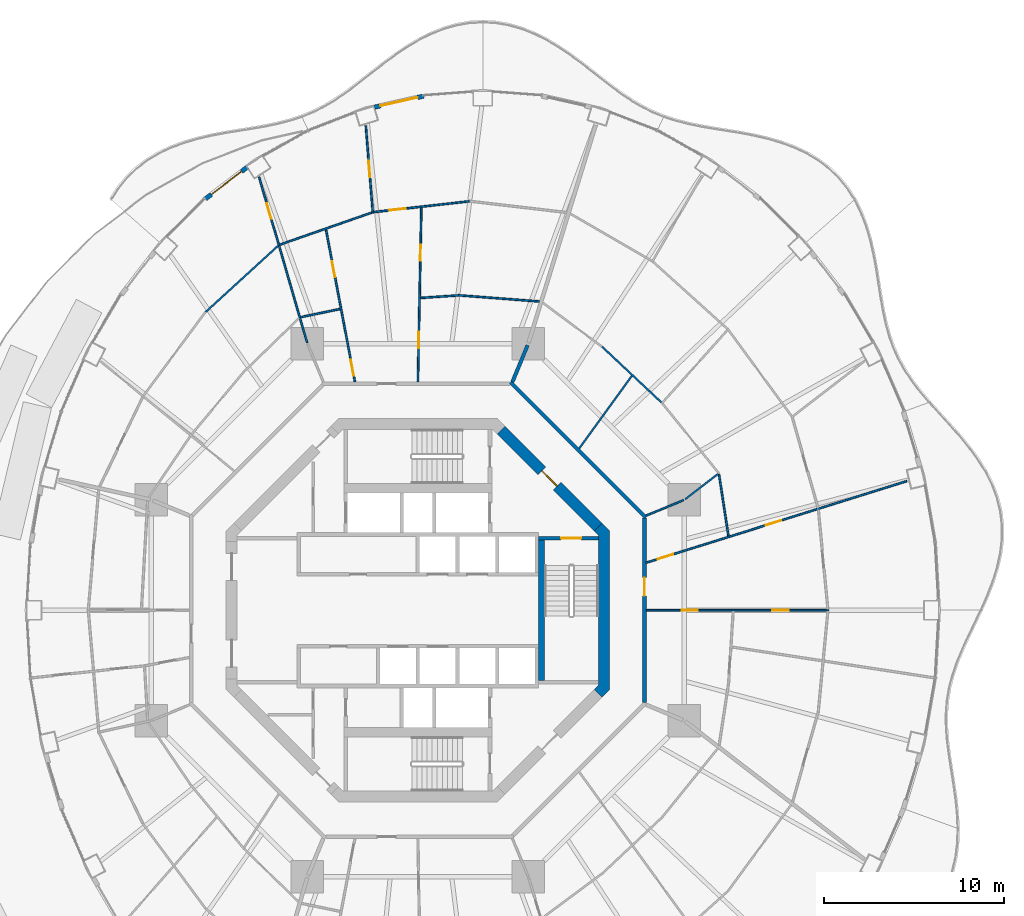
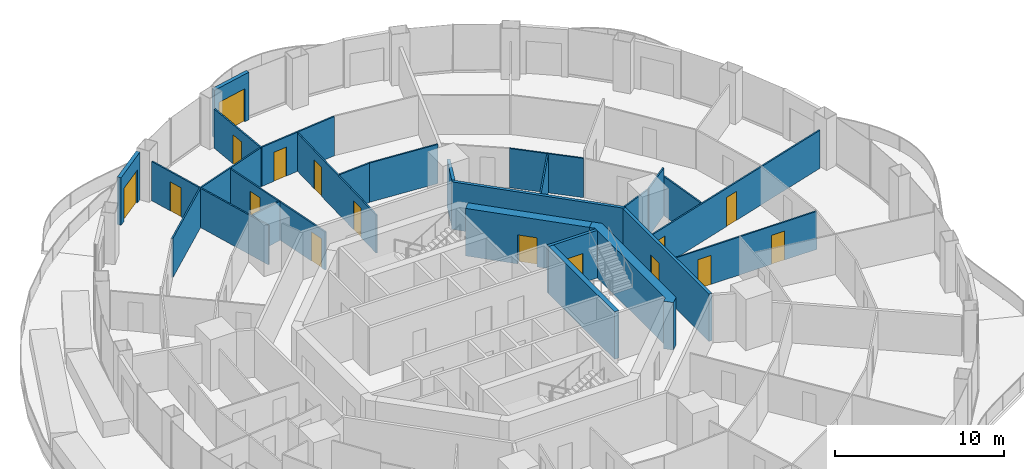
# One storey, part 16 of 20: 26 walls, 16 doors, 16 openings.
"""IFC4 building model written with IfcOpenShell, lengths in metres."""

from ifc_helpers import new_model, si_unit, direction, frame, frame_2d, origin, place, context, subcontext, project, spatial, polyline, rectangle, outline, extrude, material, layer, layer_set, type_object, element, fill, save


model = new_model("IFC4")

# Units and contexts
model_context = context("Model", 3, precision=1e-05, world=origin(), true_north=direction((0.0, 1.0)))
body_context = subcontext(model_context, "Body", "Model", "MODEL_VIEW")
ifc_project = project(units=[si_unit("LENGTHUNIT", "METRE"), si_unit("AREAUNIT", "SQUARE_METRE"), si_unit("VOLUMEUNIT", "CUBIC_METRE"), si_unit("PLANEANGLEUNIT", "RADIAN"), si_unit("MASSUNIT", "GRAM", prefix="KILO")], contexts=[model_context])

# Site, building, storey
site_placement = place(None, origin())
site = spatial("IfcSite", under=ifc_project, at=site_placement, CompositionType="ELEMENT")
building_placement = place(site_placement, origin())
building = spatial("IfcBuilding", under=site, at=building_placement, Name="Nagisa Residences", CompositionType="ELEMENT")
storey_placement = place(building_placement, frame((0.0, 0.0, 165.89990234375)))
storey = spatial("IfcBuildingStorey", under=building, at=storey_placement, Name="L41", CompositionType="ELEMENT", Elevation=165.89990234375)

# Wall
ifc_material_1 = material(Name="Gypsum board on steel studs", Category="steel")
ifc_layer_1 = layer(ifc_material_1, 0.199951171875)
ifc_layer_set_1 = layer_set([ifc_layer_1], Name="Apartment compartment wall EI60 200")
wall_type_1 = type_object("IfcWallType", Name="Apartment compartment wall EI60 200", PredefinedType="PARTITIONING", material=ifc_layer_set_1)
wall_1_placement = place(storey_placement, frame((5.24267578125, 12.6572265625, 0.0), z_axis=(0.0, 0.0, 1.0), x_axis=(0.382747093259, 0.923853160736, 0.0)))
element("IfcWall", 1, at=wall_1_placement, inside=storey, type_object=wall_type_1, Name="wall:L41:u00", PredefinedType="PARTITIONING", context=body_context, shape_type="SweptSolid", body=[
    extrude(rectangle(XDim=2.199951171875, YDim=0.199951171875, at=frame_2d((1.10009765625, 0.0))), origin(), (0.0, 0.0, 1.0), 3.440185546875),
])

# Wall, opening, door
ifc_material_2 = material(Name="Gypsum board on steel studs", Category="steel")
ifc_layer_2 = layer(ifc_material_2, 0.199951171875)
ifc_layer_set_2 = layer_set([ifc_layer_2], Name="Apartment entry wall EI60 200")
wall_type_2 = type_object("IfcWallType", Name="Apartment entry wall EI60 200", PredefinedType="PARTITIONING", material=ifc_layer_set_2)
wall_2_placement = place(storey_placement, frame((12.564697265625, -5.1044921875, 0.0), z_axis=(0.0, 0.0, 1.0), x_axis=(0.0, 1.0, 0.0)))
wall_2 = element("IfcWall", 2, at=wall_2_placement, inside=storey, type_object=wall_type_2, Name="wall:L41:u08", PredefinedType="PARTITIONING", context=body_context, shape_type="SweptSolid", body=[
    extrude(rectangle(XDim=10.208984375, YDim=0.199951171875, at=frame_2d((5.1044921875, 0.0))), origin(), (0.0, 0.0, 1.0), 3.440185546875),
])
opening_1_placement = place(wall_2_placement, frame((5.905517578125, 0.0, 0.0)))
opening_1 = element("IfcOpeningElement", 3, at=opening_1_placement, cuts=wall_2, Name="Opening L41-U01", PredefinedType="OPENING", context=body_context, shape_type="SweptSolid", body=[
    extrude(rectangle(XDim=1.0, YDim=2.10009765625, at=frame_2d((0.5, 1.050048828125))), frame((0.0, 0.10986328125, 0.0), z_axis=(0.0, -1.0, 0.0), x_axis=(1.0, 0.0, 0.0)), (0.0, 0.0, 1.0), 0.219970703125),
])
ifc_material_3 = material(Name="Timber fire door set", Category="wood")
door_type_1 = type_object("IfcDoorType", Name="Apartment entry door FD30S 1000x2100", OperationType="NOTDEFINED", PredefinedType="DOOR", material=ifc_material_3)
door_1_placement = place(opening_1_placement, frame((1.0, 0.0, 0.0), x_axis=(-1.0, 0.0, 0.0)))
door_1 = element("IfcDoor", 4, at=door_1_placement, inside=storey, type_object=door_type_1, Name="Entry door, Apartment 41A", OperationType="SINGLE_SWING_RIGHT", OverallHeight=2.10009765625, OverallWidth=1.0, PredefinedType="DOOR", context=body_context, shape_type="SweptSolid", body=[
    extrude(rectangle(XDim=1.0, YDim=2.10009765625, at=frame_2d((0.5, 1.050048828125))), frame((0.0, 0.02490234375, 0.0), z_axis=(0.0, -1.0, 0.0), x_axis=(1.0, 0.0, 0.0)), (0.0, 0.0, 1.0), 0.050048828125),
])
fill(opening_1, door_1)

# Wall
wall_3_placement = place(storey_placement, frame((12.635498046875, 5.1337890625, 0.0), z_axis=(0.0, 0.0, 1.0), x_axis=(-0.707106781187, 0.707106781187, 0.0)))
element("IfcWall", 5, at=wall_3_placement, inside=storey, type_object=wall_type_2, Name="wall:L41:u09", PredefinedType="PARTITIONING", context=body_context, shape_type="SweptSolid", body=[
    extrude(rectangle(XDim=10.609130859375, YDim=0.199951171875, at=frame_2d((5.3046875, 0.0))), origin(), (0.0, 0.0, 1.0), 3.440185546875),
])

# Wall, openings, doors
ifc_material_4 = material(Name="Gypsum board on steel studs", Category="steel")
ifc_layer_3 = layer(ifc_material_4, 0.10009765625)
ifc_layer_set_3 = layer_set([ifc_layer_3], Name="Apartment partition 100")
wall_type_3 = type_object("IfcWallType", Name="Apartment partition 100", PredefinedType="PARTITIONING", material=ifc_layer_set_3)
wall_4_placement = place(storey_placement, frame((12.664794921875, 0.0, 0.0), z_axis=(0.0, 0.0, 1.0), x_axis=(1.0, 0.0, 0.0)))
wall_4 = element("IfcWall", 6, at=wall_4_placement, inside=storey, type_object=wall_type_3, Name="wall:L41:u16", PredefinedType="PARTITIONING", context=body_context, shape_type="SweptSolid", body=[
    extrude(rectangle(XDim=10.124267578125, YDim=0.10009765625, at=frame_2d((5.06201171875, 0.0))), origin(), (0.0, 0.0, 1.0), 2.756103515625),
])
opening_2_placement = place(wall_4_placement, frame((1.96142578125, 0.0, 0.0)))
opening_2 = element("IfcOpeningElement", 7, at=opening_2_placement, cuts=wall_4, Name="Opening L41-U02", PredefinedType="OPENING", context=body_context, shape_type="SweptSolid", body=[
    extrude(rectangle(XDim=0.89990234375, YDim=2.10009765625, at=frame_2d((0.449951171875, 1.050048828125))), frame((0.0, 0.06005859375, 0.0), z_axis=(0.0, -1.0, 0.0), x_axis=(1.0, 0.0, 0.0)), (0.0, 0.0, 1.0), 0.1201171875),
])
opening_3_placement = place(wall_4_placement, frame((6.998779296875, 0.0, 0.0)))
opening_3 = element("IfcOpeningElement", 8, at=opening_3_placement, cuts=wall_4, Name="Opening L41-U05", PredefinedType="OPENING", context=body_context, shape_type="SweptSolid", body=[
    extrude(rectangle(XDim=0.89990234375, YDim=2.10009765625, at=frame_2d((0.449951171875, 1.050048828125))), frame((0.0, 0.06005859375, 0.0), z_axis=(0.0, -1.0, 0.0), x_axis=(1.0, 0.0, 0.0)), (0.0, 0.0, 1.0), 0.1201171875),
])
ifc_material_5 = material(Name="Timber door set", Category="wood")
door_type_2 = type_object("IfcDoorType", Name="Apartment door 900x2100", OperationType="NOTDEFINED", PredefinedType="DOOR", material=ifc_material_5)
door_2_placement = place(opening_2_placement, frame((0.89990234375, 0.0, 0.0), x_axis=(-1.0, 0.0, 0.0)))
door_2 = element("IfcDoor", 9, at=door_2_placement, inside=storey, type_object=door_type_2, Name="Door to store, Apartment 41A", OperationType="SINGLE_SWING_LEFT", OverallHeight=2.10009765625, OverallWidth=0.89990234375, PredefinedType="DOOR", context=body_context, shape_type="SweptSolid", body=[
    extrude(rectangle(XDim=0.89990234375, YDim=2.10009765625, at=frame_2d((0.449951171875, 1.050048828125))), frame((0.0, 0.02490234375, 0.0), z_axis=(0.0, -1.0, 0.0), x_axis=(1.0, 0.0, 0.0)), (0.0, 0.0, 1.0), 0.050048828125),
])
fill(opening_2, door_2)
door_3_placement = place(opening_3_placement, frame((0.89990234375, 0.0, 0.0), x_axis=(-1.0, 0.0, 0.0)))
door_3 = element("IfcDoor", 10, at=door_3_placement, inside=storey, type_object=door_type_2, Name="Door to family bathroom, Apartment 41A", OperationType="SINGLE_SWING_RIGHT", OverallHeight=2.10009765625, OverallWidth=0.89990234375, PredefinedType="DOOR", context=body_context, shape_type="SweptSolid", body=[
    extrude(rectangle(XDim=0.89990234375, YDim=2.10009765625, at=frame_2d((0.449951171875, 1.050048828125))), frame((0.0, 0.02490234375, 0.0), z_axis=(0.0, -1.0, 0.0), x_axis=(1.0, 0.0, 0.0)), (0.0, 0.0, 1.0), 0.050048828125),
])
fill(opening_3, door_3)

wall_5_placement = place(storey_placement, frame((12.66015625, 2.632080078125, 0.0), z_axis=(0.0, 0.0, 1.0), x_axis=(0.954248738607, 0.299013954302, 0.0)))
wall_5 = element("IfcWall", 11, at=wall_5_placement, inside=storey, type_object=wall_type_3, Name="wall:L41:u20", PredefinedType="PARTITIONING", context=body_context, shape_type="SweptSolid", body=[
    extrude(rectangle(XDim=15.141845703125, YDim=0.10009765625, at=frame_2d((7.57080078125, 0.0))), origin(), (0.0, 0.0, 1.0), 2.756103515625),
])
opening_4_placement = place(wall_5_placement, frame((0.668701171875, 0.0, 0.0)))
opening_4 = element("IfcOpeningElement", 12, at=opening_4_placement, cuts=wall_5, Name="Opening L41-U03", PredefinedType="OPENING", context=body_context, shape_type="SweptSolid", body=[
    extrude(rectangle(XDim=0.89990234375, YDim=2.10009765625, at=frame_2d((0.449951171875, 1.050048828125))), frame((0.0, 0.06005859375, 0.0), z_axis=(0.0, -1.0, 0.0), x_axis=(1.0, 0.0, 0.0)), (0.0, 0.0, 1.0), 0.1201171875),
])
opening_5_placement = place(wall_5_placement, frame((6.94384765625, 0.0, 0.0)))
opening_5 = element("IfcOpeningElement", 13, at=opening_5_placement, cuts=wall_5, Name="Opening L41-U06", PredefinedType="OPENING", context=body_context, shape_type="SweptSolid", body=[
    extrude(rectangle(XDim=0.89990234375, YDim=2.10009765625, at=frame_2d((0.449951171875, 1.050048828125))), frame((0.0, 0.06005859375, 0.0), z_axis=(0.0, -1.0, 0.0), x_axis=(1.0, 0.0, 0.0)), (0.0, 0.0, 1.0), 0.1201171875),
])
door_4_placement = place(opening_4_placement, origin())
door_4 = element("IfcDoor", 14, at=door_4_placement, inside=storey, type_object=door_type_2, Name="Door to family bathroom, Apartment 41A", OperationType="SINGLE_SWING_LEFT", OverallHeight=2.10009765625, OverallWidth=0.89990234375, PredefinedType="DOOR", context=body_context, shape_type="SweptSolid", body=[
    extrude(rectangle(XDim=0.89990234375, YDim=2.10009765625, at=frame_2d((0.449951171875, 1.050048828125))), frame((0.0, 0.02490234375, 0.0), z_axis=(0.0, -1.0, 0.0), x_axis=(1.0, 0.0, 0.0)), (0.0, 0.0, 1.0), 0.050048828125),
])
fill(opening_4, door_4)
door_5_placement = place(opening_5_placement, origin())
door_5 = element("IfcDoor", 15, at=door_5_placement, inside=storey, type_object=door_type_2, Name="Door to dining room, Apartment 41A", OperationType="SINGLE_SWING_RIGHT", OverallHeight=2.10009765625, OverallWidth=0.89990234375, PredefinedType="DOOR", context=body_context, shape_type="SweptSolid", body=[
    extrude(rectangle(XDim=0.89990234375, YDim=2.10009765625, at=frame_2d((0.449951171875, 1.050048828125))), frame((0.0, 0.02490234375, 0.0), z_axis=(0.0, -1.0, 0.0), x_axis=(1.0, 0.0, 0.0)), (0.0, 0.0, 1.0), 0.050048828125),
])
fill(opening_5, door_5)

# Walls
wall_6_placement = place(storey_placement, frame((17.220947265625, 4.113037109375, 0.0), z_axis=(0.0, 0.0, 1.0), x_axis=(-0.151078880423, 0.988521710379, 0.0)))
element("IfcWall", 16, at=wall_6_placement, inside=storey, type_object=wall_type_3, Name="wall:L41:u21", PredefinedType="PARTITIONING", context=body_context, shape_type="SweptSolid", body=[
    extrude(rectangle(XDim=3.469482421875, YDim=0.10009765625, at=frame_2d((1.73486328125, 0.0))), origin(), (0.0, 0.0, 1.0), 2.837158203125),
])
wall_7_placement = place(storey_placement, frame((12.6572265625, 5.24267578125, 0.0), z_axis=(0.0, 0.0, 1.0), x_axis=(0.923826362943, 0.382811769845, 0.0)))
element("IfcWall", 17, at=wall_7_placement, inside=storey, type_object=wall_type_3, Name="wall:L41:u23", PredefinedType="PARTITIONING", context=body_context, shape_type="SweptSolid", body=[
    extrude(rectangle(XDim=2.25, YDim=0.10009765625, at=frame_2d((1.125, 0.0))), origin(), (0.0, 0.0, 1.0), 3.440185546875),
])
wall_8_placement = place(storey_placement, frame((14.82177734375, 6.153564453125, 0.0), z_axis=(0.0, 0.0, 1.0), x_axis=(0.792226528082, 0.610227111987, 0.0)))
element("IfcWall", 18, at=wall_8_placement, inside=storey, type_object=wall_type_3, Name="wall:L41:u24", PredefinedType="PARTITIONING", context=body_context, shape_type="SweptSolid", body=[
    extrude(rectangle(XDim=2.307373046875, YDim=0.10009765625, at=frame_2d((1.15380859375, 0.0))), origin(), (0.0, 0.0, 1.0), 3.440185546875),
])
wall_9_placement = place(storey_placement, frame((13.50439453125, 11.52001953125, 0.0), z_axis=(0.0, 0.0, 1.0), x_axis=(-0.728883199496, 0.684638066055, 0.0)))
element("IfcWall", 19, at=wall_9_placement, inside=storey, type_object=wall_type_3, Name="wall:L41:u29", PredefinedType="PARTITIONING", context=body_context, shape_type="SweptSolid", body=[
    extrude(rectangle(XDim=4.519287109375, YDim=0.10009765625, at=frame_2d((2.259765625, 0.0))), origin(), (0.0, 0.0, 1.0), 2.837158203125),
])
wall_10_placement = place(storey_placement, frame((8.943359375, 8.965576171875, 0.0), z_axis=(0.0, 0.0, 1.0), x_axis=(0.587187896734, 0.809450661825, 0.0)))
element("IfcWall", 20, at=wall_10_placement, inside=storey, type_object=wall_type_3, Name="wall:L41:u31", PredefinedType="PARTITIONING", context=body_context, shape_type="SweptSolid", body=[
    extrude(rectangle(XDim=4.974853515625, YDim=0.10009765625, at=frame_2d((2.4873046875, 0.0))), origin(), (0.0, 0.0, 1.0), 2.756103515625),
])
wall_11_placement = place(storey_placement, frame((6.7412109375, 17.1171875, 0.0), z_axis=(0.0, 0.0, 1.0), x_axis=(-0.997078320723, 0.076386008825, 0.0)))
element("IfcWall", 21, at=wall_11_placement, inside=storey, type_object=wall_type_3, Name="wall:L41:u35", PredefinedType="PARTITIONING", context=body_context, shape_type="SweptSolid", body=[
    extrude(rectangle(XDim=4.509765625, YDim=0.10009765625, at=frame_2d((2.2548828125, 0.0))), origin(), (0.0, 0.0, 1.0), 2.837158203125),
])
wall_12_placement = place(storey_placement, frame((2.244384765625, 17.45458984375, 0.0), z_axis=(0.0, 0.0, 1.0), x_axis=(-0.997756833447, -0.06694252243, 0.0)))
element("IfcWall", 22, at=wall_12_placement, inside=storey, type_object=wall_type_3, Name="wall:L41:u37", PredefinedType="PARTITIONING", context=body_context, shape_type="SweptSolid", body=[
    extrude(rectangle(XDim=2.104248046875, YDim=0.10009765625, at=frame_2d((1.05224609375, 0.0))), origin(), (0.0, 0.0, 1.0), 2.837158203125),
])

# Wall, opening, door
wall_13_placement = place(storey_placement, frame((2.841552734375, 22.67138671875, 0.0), z_axis=(0.0, 0.0, 1.0), x_axis=(-0.993660315081, -0.112424099879, 0.0)))
wall_13 = element("IfcWall", 23, at=wall_13_placement, inside=storey, type_object=wall_type_3, Name="wall:L41:u38", PredefinedType="PARTITIONING", context=body_context, shape_type="SweptSolid", body=[
    extrude(rectangle(XDim=5.32470703125, YDim=0.10009765625, at=frame_2d((2.662353515625, 0.0))), origin(), (0.0, 0.0, 1.0), 2.837158203125),
])
opening_6_placement = place(wall_13_placement, frame((3.543701171875, 0.0, 0.0)))
opening_6 = element("IfcOpeningElement", 24, at=opening_6_placement, cuts=wall_13, Name="Opening L41-U20", PredefinedType="OPENING", context=body_context, shape_type="SweptSolid", body=[
    extrude(rectangle(XDim=0.89990234375, YDim=2.10009765625, at=frame_2d((0.449951171875, 1.050048828125))), frame((0.0, 0.06005859375, 0.0), z_axis=(0.0, -1.0, 0.0), x_axis=(1.0, 0.0, 0.0)), (0.0, 0.0, 1.0), 0.1201171875),
])
door_6_placement = place(opening_6_placement, frame((0.89990234375, 0.0, 0.0), x_axis=(-1.0, 0.0, 0.0)))
door_6 = element("IfcDoor", 25, at=door_6_placement, inside=storey, type_object=door_type_2, Name="Door to living room, Apartment 41B", OperationType="SINGLE_SWING_LEFT", OverallHeight=2.10009765625, OverallWidth=0.89990234375, PredefinedType="DOOR", context=body_context, shape_type="SweptSolid", body=[
    extrude(rectangle(XDim=0.89990234375, YDim=2.10009765625, at=frame_2d((0.449951171875, 1.050048828125))), frame((0.0, 0.02490234375, 0.0), z_axis=(0.0, -1.0, 0.0), x_axis=(1.0, 0.0, 0.0)), (0.0, 0.0, 1.0), 0.050048828125),
])
fill(opening_6, door_6)

# Wall, openings, doors
wall_14_placement = place(storey_placement, frame((0.001953125, 12.664794921875, 0.0), z_axis=(0.0, 0.0, 1.0), x_axis=(0.019992969345, 0.999800120613, 0.0)))
wall_14 = element("IfcWall", 26, at=wall_14_placement, inside=storey, type_object=wall_type_3, Name="wall:L41:u39", PredefinedType="PARTITIONING", context=body_context, shape_type="SweptSolid", body=[
    extrude(rectangle(XDim=9.6591796875, YDim=0.10009765625, at=frame_2d((4.82958984375, 0.0))), origin(), (0.0, 0.0, 1.0), 2.756103515625),
])
opening_7_placement = place(wall_14_placement, frame((1.873291015625, 0.0, 0.0)))
opening_7 = element("IfcOpeningElement", 27, at=opening_7_placement, cuts=wall_14, Name="Opening L41-U16", PredefinedType="OPENING", context=body_context, shape_type="SweptSolid", body=[
    extrude(rectangle(XDim=0.89990234375, YDim=2.10009765625, at=frame_2d((0.449951171875, 1.050048828125))), frame((0.0, 0.06005859375, 0.0), z_axis=(0.0, -1.0, 0.0), x_axis=(1.0, 0.0, 0.0)), (0.0, 0.0, 1.0), 0.1201171875),
])
opening_8_placement = place(wall_14_placement, frame((6.702880859375, 0.0, 0.0)))
opening_8 = element("IfcOpeningElement", 28, at=opening_8_placement, cuts=wall_14, Name="Opening L41-U18", PredefinedType="OPENING", context=body_context, shape_type="SweptSolid", body=[
    extrude(rectangle(XDim=0.89990234375, YDim=2.10009765625, at=frame_2d((0.449951171875, 1.050048828125))), frame((0.0, 0.06005859375, 0.0), z_axis=(0.0, -1.0, 0.0), x_axis=(1.0, 0.0, 0.0)), (0.0, 0.0, 1.0), 0.1201171875),
])
door_7_placement = place(opening_7_placement, frame((0.89990234375, 0.0, 0.0), x_axis=(-1.0, 0.0, 0.0)))
door_7 = element("IfcDoor", 29, at=door_7_placement, inside=storey, type_object=door_type_2, Name="Door to store, Apartment 41B", OperationType="SINGLE_SWING_LEFT", OverallHeight=2.10009765625, OverallWidth=0.89990234375, PredefinedType="DOOR", context=body_context, shape_type="SweptSolid", body=[
    extrude(rectangle(XDim=0.89990234375, YDim=2.10009765625, at=frame_2d((0.449951171875, 1.050048828125))), frame((0.0, 0.02490234375, 0.0), z_axis=(0.0, -1.0, 0.0), x_axis=(1.0, 0.0, 0.0)), (0.0, 0.0, 1.0), 0.050048828125),
])
fill(opening_7, door_7)
door_8_placement = place(opening_8_placement, frame((0.89990234375, 0.0, 0.0), x_axis=(-1.0, 0.0, 0.0)))
door_8 = element("IfcDoor", 30, at=door_8_placement, inside=storey, type_object=door_type_2, Name="Door to study, Apartment 41B", OperationType="SINGLE_SWING_LEFT", OverallHeight=2.10009765625, OverallWidth=0.89990234375, PredefinedType="DOOR", context=body_context, shape_type="SweptSolid", body=[
    extrude(rectangle(XDim=0.89990234375, YDim=2.10009765625, at=frame_2d((0.449951171875, 1.050048828125))), frame((0.0, 0.02490234375, 0.0), z_axis=(0.0, -1.0, 0.0), x_axis=(1.0, 0.0, 0.0)), (0.0, 0.0, 1.0), 0.050048828125),
])
fill(opening_8, door_8)

# Wall, opening, door
wall_15_placement = place(storey_placement, frame((-2.4951171875, 22.017333984375, 0.0), z_axis=(0.0, 0.0, 1.0), x_axis=(-0.080150660566, 0.99678276049, 0.0)))
wall_15 = element("IfcWall", 31, at=wall_15_placement, inside=storey, type_object=wall_type_3, Name="wall:L41:u40", PredefinedType="PARTITIONING", context=body_context, shape_type="SweptSolid", body=[
    extrude(rectangle(XDim=4.8583984375, YDim=0.10009765625, at=frame_2d((2.42919921875, 0.0))), origin(), (0.0, 0.0, 1.0), 2.837158203125),
])
opening_9_placement = place(wall_15_placement, frame((2.004150390625, 0.0, 0.0)))
opening_9 = element("IfcOpeningElement", 32, at=opening_9_placement, cuts=wall_15, Name="Opening L41-U21", PredefinedType="OPENING", context=body_context, shape_type="SweptSolid", body=[
    extrude(rectangle(XDim=0.89990234375, YDim=2.10009765625, at=frame_2d((0.449951171875, 1.050048828125))), frame((0.0, 0.06005859375, 0.0), z_axis=(0.0, -1.0, 0.0), x_axis=(1.0, 0.0, 0.0)), (0.0, 0.0, 1.0), 0.1201171875),
])
door_9_placement = place(opening_9_placement, origin())
door_9 = element("IfcDoor", 33, at=door_9_placement, inside=storey, type_object=door_type_2, Name="Door to bedroom, Apartment 41B", OperationType="SINGLE_SWING_LEFT", OverallHeight=2.10009765625, OverallWidth=0.89990234375, PredefinedType="DOOR", context=body_context, shape_type="SweptSolid", body=[
    extrude(rectangle(XDim=0.89990234375, YDim=2.10009765625, at=frame_2d((0.449951171875, 1.050048828125))), frame((0.0, 0.02490234375, 0.0), z_axis=(0.0, -1.0, 0.0), x_axis=(1.0, 0.0, 0.0)), (0.0, 0.0, 1.0), 0.050048828125),
])
fill(opening_9, door_9)

# Wall
wall_16_placement = place(storey_placement, frame((-2.54638671875, 22.050537109375, 0.0), z_axis=(0.0, 0.0, 1.0), x_axis=(-0.943911038661, -0.330199865375, 0.0)))
element("IfcWall", 34, at=wall_16_placement, inside=storey, type_object=wall_type_3, Name="wall:L41:u41", PredefinedType="PARTITIONING", context=body_context, shape_type="SweptSolid", body=[
    extrude(rectangle(XDim=5.41748046875, YDim=0.10009765625, at=frame_2d((2.708740234375, 0.0))), origin(), (0.0, 0.0, 1.0), 2.837158203125),
])

# Wall, openings, doors
wall_17_placement = place(storey_placement, frame((-3.48828125, 12.6630859375, 0.0), z_axis=(0.0, 0.0, 1.0), x_axis=(-0.186783185485, 0.982401161247, 0.0)))
wall_17 = element("IfcWall", 35, at=wall_17_placement, inside=storey, type_object=wall_type_3, Name="wall:L41:u42", PredefinedType="PARTITIONING", context=body_context, shape_type="SweptSolid", body=[
    extrude(rectangle(XDim=8.595458984375, YDim=0.10009765625, at=frame_2d((4.2978515625, 0.0))), origin(), (0.0, 0.0, 1.0), 2.756103515625),
])
opening_10_placement = place(wall_17_placement, frame((0.35009765625, 0.0, 0.0)))
opening_10 = element("IfcOpeningElement", 36, at=opening_10_placement, cuts=wall_17, Name="Opening L41-U17", PredefinedType="OPENING", context=body_context, shape_type="SweptSolid", body=[
    extrude(rectangle(XDim=0.89990234375, YDim=2.10009765625, at=frame_2d((0.449951171875, 1.050048828125))), frame((0.0, 0.06005859375, 0.0), z_axis=(0.0, -1.0, 0.0), x_axis=(1.0, 0.0, 0.0)), (0.0, 0.0, 1.0), 0.1201171875),
])
opening_11_placement = place(wall_17_placement, frame((5.908447265625, 0.0, 0.0)))
opening_11 = element("IfcOpeningElement", 37, at=opening_11_placement, cuts=wall_17, Name="Opening L41-U19", PredefinedType="OPENING", context=body_context, shape_type="SweptSolid", body=[
    extrude(rectangle(XDim=0.89990234375, YDim=2.10009765625, at=frame_2d((0.449951171875, 1.050048828125))), frame((0.0, 0.06005859375, 0.0), z_axis=(0.0, -1.0, 0.0), x_axis=(1.0, 0.0, 0.0)), (0.0, 0.0, 1.0), 0.1201171875),
])
door_10_placement = place(opening_10_placement, origin())
door_10 = element("IfcDoor", 38, at=door_10_placement, inside=storey, type_object=door_type_2, Name="Door to family bathroom, Apartment 41B", OperationType="SINGLE_SWING_LEFT", OverallHeight=2.10009765625, OverallWidth=0.89990234375, PredefinedType="DOOR", context=body_context, shape_type="SweptSolid", body=[
    extrude(rectangle(XDim=0.89990234375, YDim=2.10009765625, at=frame_2d((0.449951171875, 1.050048828125))), frame((0.0, 0.02490234375, 0.0), z_axis=(0.0, -1.0, 0.0), x_axis=(1.0, 0.0, 0.0)), (0.0, 0.0, 1.0), 0.050048828125),
])
fill(opening_10, door_10)
door_11_placement = place(opening_11_placement, origin())
door_11 = element("IfcDoor", 39, at=door_11_placement, inside=storey, type_object=door_type_2, Name="Door to family bathroom, Apartment 41B", OperationType="SINGLE_SWING_LEFT", OverallHeight=2.10009765625, OverallWidth=0.89990234375, PredefinedType="DOOR", context=body_context, shape_type="SweptSolid", body=[
    extrude(rectangle(XDim=0.89990234375, YDim=2.10009765625, at=frame_2d((0.449951171875, 1.050048828125))), frame((0.0, 0.02490234375, 0.0), z_axis=(0.0, -1.0, 0.0), x_axis=(1.0, 0.0, 0.0)), (0.0, 0.0, 1.0), 0.050048828125),
])
fill(opening_11, door_11)

# Wall
wall_18_placement = place(storey_placement, frame((-4.324462890625, 16.69921875, 0.0), z_axis=(0.0, 0.0, 1.0), x_axis=(-0.978908011866, -0.204301503432, 0.0)))
element("IfcWall", 40, at=wall_18_placement, inside=storey, type_object=wall_type_3, Name="wall:L41:u43", PredefinedType="PARTITIONING", context=body_context, shape_type="SweptSolid", body=[
    extrude(rectangle(XDim=2.218017578125, YDim=0.10009765625, at=frame_2d((1.10888671875, 0.0))), origin(), (0.0, 0.0, 1.0), 2.837158203125),
])

# Wall, opening, door
wall_19_placement = place(storey_placement, frame((-6.136962890625, 14.830078125, 0.0), z_axis=(0.0, 0.0, 1.0), x_axis=(-0.278461169897, 0.96044748782, 0.0)))
wall_19 = element("IfcWall", 41, at=wall_19_placement, inside=storey, type_object=wall_type_3, Name="wall:L41:u45", PredefinedType="PARTITIONING", context=body_context, shape_type="SweptSolid", body=[
    extrude(rectangle(XDim=9.5732421875, YDim=0.10009765625, at=frame_2d((4.78662109375, 0.0))), origin(), (0.0, 0.0, 1.0), 2.837158203125),
])
opening_12_placement = place(wall_19_placement, frame((7.15576171875, 0.0, 0.0)))
opening_12 = element("IfcOpeningElement", 42, at=opening_12_placement, cuts=wall_19, Name="Opening L41-U22", PredefinedType="OPENING", context=body_context, shape_type="SweptSolid", body=[
    extrude(rectangle(XDim=0.89990234375, YDim=2.10009765625, at=frame_2d((0.449951171875, 1.050048828125))), frame((0.0, 0.06005859375, 0.0), z_axis=(0.0, -1.0, 0.0), x_axis=(1.0, 0.0, 0.0)), (0.0, 0.0, 1.0), 0.1201171875),
])
door_12_placement = place(opening_12_placement, origin())
door_12 = element("IfcDoor", 43, at=door_12_placement, inside=storey, type_object=door_type_2, Name="Door to family room, Apartment 41B", OperationType="SINGLE_SWING_RIGHT", OverallHeight=2.10009765625, OverallWidth=0.89990234375, PredefinedType="DOOR", context=body_context, shape_type="SweptSolid", body=[
    extrude(rectangle(XDim=0.89990234375, YDim=2.10009765625, at=frame_2d((0.449951171875, 1.050048828125))), frame((0.0, 0.02490234375, 0.0), z_axis=(0.0, -1.0, 0.0), x_axis=(1.0, 0.0, 0.0)), (0.0, 0.0, 1.0), 0.050048828125),
])
fill(opening_12, door_12)

# Wall
wall_20_placement = place(storey_placement, frame((-7.743896484375, 20.211669921875, 0.0), z_axis=(0.0, 0.0, 1.0), x_axis=(-0.738051761282, -0.674744097913, 0.0)))
element("IfcWall", 44, at=wall_20_placement, inside=storey, type_object=wall_type_3, Name="wall:L41:u47", PredefinedType="PARTITIONING", context=body_context, shape_type="SweptSolid", body=[
    extrude(rectangle(XDim=5.44921875, YDim=0.10009765625, at=frame_2d((2.724609375, 0.0))), origin(), (0.0, 0.0, 1.0), 2.837158203125),
])

# Wall, opening, door
ifc_material_6 = material(Name="Precast concrete C40/50", Category="concrete")
ifc_layer_4 = layer(ifc_material_6, 0.25)
ifc_layer_set_4 = layer_set([ifc_layer_4], Name="BALCONY DOOR WALL 250")
wall_type_4 = type_object("IfcWallType", Name="BALCONY DOOR WALL 250", PredefinedType="SOLIDWALL", material=ifc_layer_set_4)
wall_21_placement = place(storey_placement, frame((-2.403564453125, 27.890625, 0.0), z_axis=(0.0, 0.0, 1.0), x_axis=(0.975324329911, 0.220776926974, 0.0)))
wall_21 = element("IfcWall", 45, at=wall_21_placement, inside=storey, type_object=wall_type_4, Name="wall:L41:bay13", PredefinedType="SOLIDWALL", context=body_context, shape_type="SweptSolid", body=[
    extrude(rectangle(XDim=2.787841796875, YDim=0.25, at=frame_2d((1.39404296875, 0.0))), origin(), (0.0, 0.0, 1.0), 3.440185546875),
])
opening_13_placement = place(wall_21_placement, frame((0.343994140625, 0.0, 0.0)))
opening_13 = element("IfcOpeningElement", 46, at=opening_13_placement, cuts=wall_21, Name="Opening BD-L41-05", PredefinedType="OPENING", context=body_context, shape_type="SweptSolid", body=[
    extrude(rectangle(XDim=2.10009765625, YDim=2.39990234375, at=frame_2d((1.050048828125, 1.199951171875))), frame((0.0, 0.135009765625, 0.0), z_axis=(0.0, -1.0, 0.0), x_axis=(1.0, 0.0, 0.0)), (0.0, 0.0, 1.0), 0.27001953125),
])
ifc_material_7 = material(Name="Aluminium and clear glass", Category="aluminium")
door_type_3 = type_object("IfcDoorType", Name="BALCONY SLIDING DOOR 2100x2400", OperationType="SLIDING_TO_LEFT", PredefinedType="DOOR", material=ifc_material_7)
door_13_placement = place(opening_13_placement, origin())
door_13 = element("IfcDoor", 47, at=door_13_placement, inside=storey, type_object=door_type_3, Name="door:L41:bay13", OperationType="SLIDING_TO_LEFT", OverallHeight=2.39990234375, OverallWidth=2.10009765625, PredefinedType="DOOR", context=body_context, shape_type="SweptSolid", body=[
    extrude(rectangle(XDim=2.10009765625, YDim=2.39990234375, at=frame_2d((1.050048828125, 1.199951171875))), frame((0.0, 0.02490234375, 0.0), z_axis=(0.0, -1.0, 0.0), x_axis=(1.0, 0.0, 0.0)), (0.0, 0.0, 1.0), 0.050048828125),
])
fill(opening_13, door_13)

wall_22_placement = place(storey_placement, frame((-11.771728515625, 22.80859375, 0.0), z_axis=(0.0, 0.0, 1.0), x_axis=(0.796055733703, 0.60522332146, 0.0)))
wall_22 = element("IfcWall", 48, at=wall_22_placement, inside=storey, type_object=wall_type_4, Name="wall:L41:bay16", PredefinedType="SOLIDWALL", context=body_context, shape_type="SweptSolid", body=[
    extrude(rectangle(XDim=2.9169921875, YDim=0.25, at=frame_2d((1.45849609375, 0.0))), origin(), (0.0, 0.0, 1.0), 3.440185546875),
])
opening_14_placement = place(wall_22_placement, frame((0.408447265625, 0.0, 0.0)))
opening_14 = element("IfcOpeningElement", 49, at=opening_14_placement, cuts=wall_22, Name="Opening BD-L41-06", PredefinedType="OPENING", context=body_context, shape_type="SweptSolid", body=[
    extrude(rectangle(XDim=2.10009765625, YDim=2.39990234375, at=frame_2d((1.050048828125, 1.199951171875))), frame((0.0, 0.135009765625, 0.0), z_axis=(0.0, -1.0, 0.0), x_axis=(1.0, 0.0, 0.0)), (0.0, 0.0, 1.0), 0.27001953125),
])
door_14_placement = place(opening_14_placement, origin())
door_14 = element("IfcDoor", 50, at=door_14_placement, inside=storey, type_object=door_type_3, Name="door:L41:bay16", OperationType="SLIDING_TO_LEFT", OverallHeight=2.39990234375, OverallWidth=2.10009765625, PredefinedType="DOOR", context=body_context, shape_type="SweptSolid", body=[
    extrude(rectangle(XDim=2.10009765625, YDim=2.39990234375, at=frame_2d((1.050048828125, 1.199951171875))), frame((0.0, 0.02490234375, 0.0), z_axis=(0.0, -1.0, 0.0), x_axis=(1.0, 0.0, 0.0)), (0.0, 0.0, 1.0), 0.050048828125),
])
fill(opening_14, door_14)

ifc_material_8 = material(Name="Concrete C60", Category="concrete")
ifc_layer_5 = layer(ifc_material_8, 0.60009765625)
ifc_layer_set_5 = layer_set([ifc_layer_5], Name="Core shear wall 600")
wall_type_5 = type_object("IfcWallType", Name="Core shear wall 600", PredefinedType="SHEAR", material=ifc_layer_set_5)
wall_23_placement = place(storey_placement, frame((9.98828125, 4.613037109375, 0.0), z_axis=(0.0, 0.0, 1.0), x_axis=(-0.707106781187, 0.707106781187, 0.0)))
wall_23 = element("IfcWall", 51, at=wall_23_placement, inside=storey, type_object=wall_type_5, Name="wall:L41:core:flat1", PredefinedType="SHEAR", context=body_context, shape_type="SweptSolid", body=[
    extrude(rectangle(XDim=7.601806640625, YDim=0.60009765625, at=frame_2d((3.80078125, 0.0))), origin(), (0.0, 0.0, 1.0), 3.440185546875),
])
opening_15_placement = place(wall_23_placement, frame((3.200927734375, 0.0, 0.0)))
opening_15 = element("IfcOpeningElement", 52, at=opening_15_placement, cuts=wall_23, Name="Opening L41-C17", PredefinedType="OPENING", context=body_context, shape_type="SweptSolid", body=[
    extrude(rectangle(XDim=1.199951171875, YDim=2.10009765625, at=frame_2d((0.60009765625, 1.050048828125))), frame((0.0, 0.31005859375, 0.0), z_axis=(0.0, -1.0, 0.0), x_axis=(1.0, 0.0, 0.0)), (0.0, 0.0, 1.0), 0.6201171875),
])
ifc_material_9 = material(Name="Steel fire door", Category="steel")
door_type_4 = type_object("IfcDoorType", Name="Fire door EI60 1200x2100 single swing", OperationType="NOTDEFINED", PredefinedType="DOOR", material=ifc_material_9)
door_15_placement = place(opening_15_placement, origin())
door_15 = element("IfcDoor", 53, at=door_15_placement, inside=storey, type_object=door_type_4, Name="Firefighting lobby 1 door L41", OperationType="SINGLE_SWING_LEFT", OverallHeight=2.10009765625, OverallWidth=1.199951171875, PredefinedType="DOOR", context=body_context, shape_type="SweptSolid", body=[
    extrude(rectangle(XDim=1.199951171875, YDim=2.10009765625, at=frame_2d((0.60009765625, 1.050048828125))), frame((0.0, 0.02490234375, 0.0), z_axis=(0.0, -1.0, 0.0), x_axis=(1.0, 0.0, 0.0)), (0.0, 0.0, 1.0), 0.050048828125),
])
fill(opening_15, door_15)

# Wall
wall_24_placement = place(storey_placement, origin())
element("IfcWall", 54, at=wall_24_placement, inside=storey, type_object=wall_type_5, Name="wall:L41:core:flat0", PredefinedType="SHEAR", context=body_context, shape_type="SweptSolid", body=[
    extrude(outline(polyline([(9.776123046875, -4.40087890625), (10.024658203125, -4.15234375), (10.024658203125, -3.801025390625), (10.024658203125, 4.15234375), (9.776123046875, 4.40087890625), (10.200439453125, 4.8251953125), (10.62451171875, 4.40087890625), (10.62451171875, -4.40087890625), (10.200439453125, -4.8251953125), (9.776123046875, -4.40087890625)])), origin(), (0.0, 0.0, 1.0), 3.440185546875),
])

# Wall, opening, door
ifc_material_10 = material(Name="Concrete C60", Category="concrete")
ifc_layer_6 = layer(ifc_material_10, 0.199951171875)
ifc_layer_set_6 = layer_set([ifc_layer_6], Name="Stair enclosure wall 200")
wall_type_6 = type_object("IfcWallType", Name="Stair enclosure wall 200", PredefinedType="SOLIDWALL", material=ifc_layer_set_6)
wall_25_placement = place(storey_placement, frame((6.699951171875, 4.0, 0.0), z_axis=(0.0, 0.0, 1.0), x_axis=(1.0, 0.0, 0.0)))
wall_25 = element("IfcWall", 55, at=wall_25_placement, inside=storey, type_object=wall_type_6, Name="wall:L41:SE_n", PredefinedType="SOLIDWALL", context=body_context, shape_type="SweptSolid", body=[
    extrude(rectangle(XDim=3.32470703125, YDim=0.199951171875, at=frame_2d((1.662353515625, 0.0))), origin(), (0.0, 0.0, 1.0), 3.440185546875),
])
opening_16_placement = place(wall_25_placement, frame((1.25, 0.0, 0.0)))
opening_16 = element("IfcOpeningElement", 56, at=opening_16_placement, cuts=wall_25, Name="Opening L41-C08", PredefinedType="OPENING", context=body_context, shape_type="SweptSolid", body=[
    extrude(rectangle(XDim=1.10009765625, YDim=2.10009765625, at=frame_2d((0.550048828125, 1.050048828125))), frame((0.0, 0.10986328125, 0.0), z_axis=(0.0, -1.0, 0.0), x_axis=(1.0, 0.0, 0.0)), (0.0, 0.0, 1.0), 0.219970703125),
])
ifc_material_11 = material(Name="Steel fire door", Category="steel")
door_type_5 = type_object("IfcDoorType", Name="Fire door EI90 1100x2100 single swing", OperationType="NOTDEFINED", PredefinedType="DOOR", material=ifc_material_11)
door_16_placement = place(opening_16_placement, frame((1.10009765625, 0.0, 0.0), x_axis=(-1.0, 0.0, 0.0)))
door_16 = element("IfcDoor", 57, at=door_16_placement, inside=storey, type_object=door_type_5, Name="Stair door ST-E L41", OperationType="SINGLE_SWING_RIGHT", OverallHeight=2.10009765625, OverallWidth=1.10009765625, PredefinedType="DOOR", context=body_context, shape_type="SweptSolid", body=[
    extrude(rectangle(XDim=1.10009765625, YDim=2.10009765625, at=frame_2d((0.550048828125, 1.050048828125))), frame((0.0, 0.02490234375, 0.0), z_axis=(0.0, -1.0, 0.0), x_axis=(1.0, 0.0, 0.0)), (0.0, 0.0, 1.0), 0.050048828125),
])
fill(opening_16, door_16)

# Wall
wall_26_placement = place(storey_placement, origin())
element("IfcWall", 58, at=wall_26_placement, inside=storey, type_object=wall_type_6, Name="wall:L41:SE_w", PredefinedType="SOLIDWALL", context=body_context, shape_type="SweptSolid", body=[
    extrude(outline(polyline([(7.024658203125, -3.89990234375), (6.699951171875, -3.89990234375), (6.699951171875, 3.89990234375), (7.024658203125, 3.89990234375), (7.024658203125, -3.89990234375)])), origin(), (0.0, 0.0, 1.0), 3.440185546875),
])

save(model, "model.ifc")
